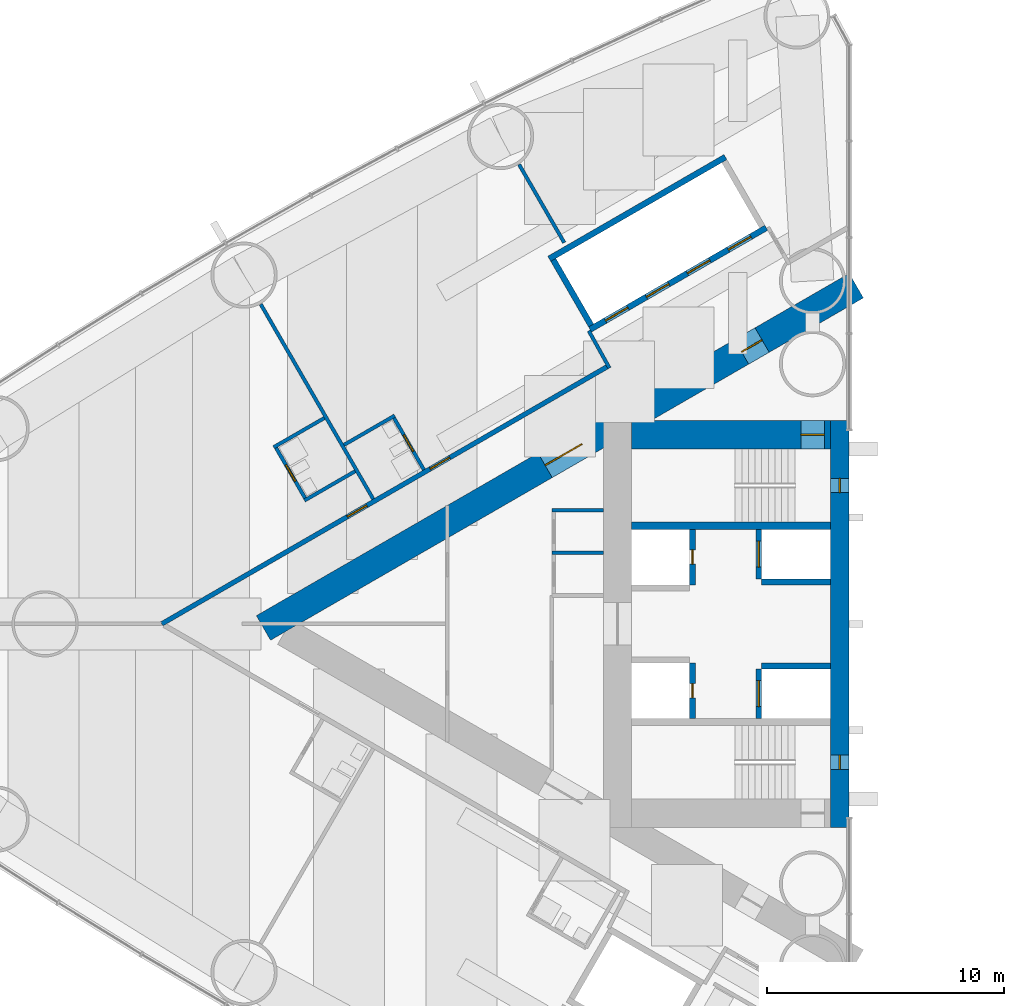
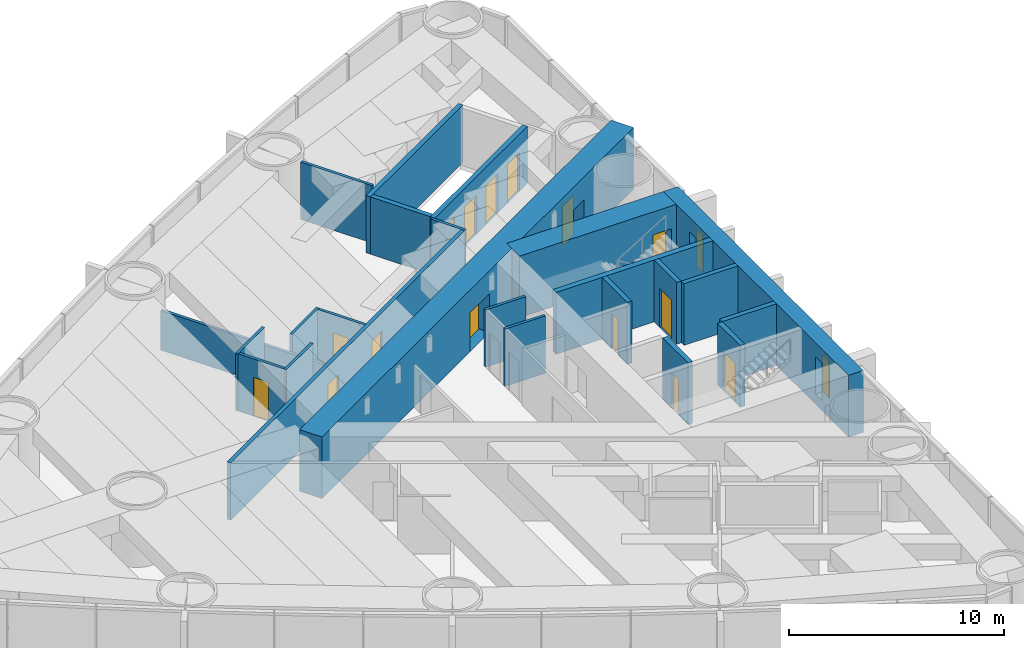
# One storey, part 12 of 19: 24 walls, 15 doors, 2 windows, 17 openings.
"""IFC4 building model written with IfcOpenShell, lengths in metres."""

from ifc_helpers import new_model, si_unit, direction, frame, frame_2d, origin, place, context, subcontext, project, spatial, rectangle, extrude, material, layer, layer_set, type_object, element, fill, save


model = new_model("IFC4")

# Units and contexts
model_context = context("Model", 3, precision=1e-05, world=origin(), true_north=direction((0.0, 1.0)))
body_context = subcontext(model_context, "Body", "Model", "MODEL_VIEW")
ifc_project = project(units=[si_unit("LENGTHUNIT", "METRE"), si_unit("AREAUNIT", "SQUARE_METRE"), si_unit("VOLUMEUNIT", "CUBIC_METRE"), si_unit("PLANEANGLEUNIT", "RADIAN"), si_unit("MASSUNIT", "GRAM", prefix="KILO")], contexts=[model_context])

# Site, building, storey
site_placement = place(None, origin())
site = spatial("IfcSite", under=ifc_project, at=site_placement, CompositionType="ELEMENT")
building_placement = place(site_placement, origin())
building = spatial("IfcBuilding", under=site, at=building_placement, Name="Lancet Gate Hotel", CompositionType="ELEMENT")
storey_placement = place(building_placement, frame((0.0, 0.0, 18.0)))
storey = spatial("IfcBuildingStorey", under=building, at=storey_placement, Name="L03", CompositionType="ELEMENT", Elevation=18.0)

# Wall
ifc_material_1 = material(Name="Moisture resistant board partition")
ifc_layer_1 = layer(ifc_material_1, 0.14990234375)
ifc_layer_set_1 = layer_set([ifc_layer_1], Name="Bathroom wall 150")
wall_type_1 = type_object("IfcWallType", Name="Bathroom wall 150", PredefinedType="PARTITIONING", material=ifc_layer_set_1)
wall_1_placement = place(storey_placement, frame((-49.691650390625, 8.704345703125, 0.0), z_axis=(0.0, 0.0, 1.0), x_axis=(-0.866073894602, -0.499916002032, 0.0)))
element("IfcWall", 1, at=wall_1_placement, inside=storey, type_object=wall_type_1, Name="T1 bathroom wall 150 L03", PredefinedType="PARTITIONING", context=body_context, shape_type="SweptSolid", body=[
    extrude(rectangle(XDim=2.47509765625, YDim=0.14990234375, at=frame_2d((1.237548828125, 0.0))), origin(), (0.0, 0.0, 1.0), 3.25),
])

# Wall, opening, door
wall_2_placement = place(storey_placement, frame((-50.47021484375, 5.252685546875, 0.0), z_axis=(0.0, 0.0, 1.0), x_axis=(-0.500006934395, 0.866021400173, 0.0)))
wall_2 = element("IfcWall", 2, at=wall_2_placement, inside=storey, type_object=wall_type_1, Name="T1 bathroom wall 150 L03", PredefinedType="PARTITIONING", context=body_context, shape_type="SweptSolid", body=[
    extrude(rectangle(XDim=2.60009765625, YDim=0.14990234375, at=frame_2d((1.300048828125, 0.0))), origin(), (0.0, 0.0, 1.0), 3.25),
])
opening_1_placement = place(wall_2_placement, frame((0.89990234375, 0.0, 0.0)))
opening_1 = element("IfcOpeningElement", 3, at=opening_1_placement, cuts=wall_2, Name="Opening 0303-B", PredefinedType="OPENING", context=body_context, shape_type="SweptSolid", body=[
    extrude(rectangle(XDim=0.800048828125, YDim=2.199951171875, at=frame_2d((0.39990234375, 1.10009765625))), frame((0.0, 0.0849609375, 0.0), z_axis=(0.0, -1.0, 0.0), x_axis=(1.0, 0.0, 0.0)), (0.0, 0.0, 1.0), 0.169921875),
])
ifc_material_2 = material(Name="Timber door set", Category="wood")
door_type_1 = type_object("IfcDoorType", Name="Bathroom door 800", OperationType="SINGLE_SWING_RIGHT", PredefinedType="DOOR", material=ifc_material_2)
door_1_placement = place(opening_1_placement, origin())
door_1 = element("IfcDoor", 4, at=door_1_placement, inside=storey, type_object=door_type_1, Name="0303-B", OperationType="SINGLE_SWING_RIGHT", OverallHeight=2.199951171875, OverallWidth=0.800048828125, PredefinedType="DOOR", context=body_context, shape_type="SweptSolid", body=[
    extrude(rectangle(XDim=0.800048828125, YDim=2.199951171875, at=frame_2d((0.39990234375, 1.10009765625))), frame((0.0, 0.02490234375, 0.0), z_axis=(0.0, -1.0, 0.0), x_axis=(1.0, 0.0, 0.0)), (0.0, 0.0, 1.0), 0.050048828125),
])
fill(opening_1, door_1)

# Walls
for number, where, z_axis, x_axis, name in (
    (5, (-48.391845703125, 6.45263671875, 0.0), (0.0, 0.0, 1.0), (-0.86604923931, -0.499958713387, 0.0), "T1 bathroom wall 150 L03"),
    (6, (-46.718505859375, 8.804443359375, 0.0), (0.0, 0.0, 1.0), (-0.866006523861, -0.500032699561, 0.0), "T1 bathroom wall 150 L03"),
):
    element("IfcWall", number, at=place(storey_placement, frame(where, z_axis=z_axis, x_axis=x_axis)), inside=storey, type_object=wall_type_1, Name=name, PredefinedType="PARTITIONING", context=body_context, shape_type="SweptSolid", body=[
        extrude(rectangle(XDim=2.474853515625, YDim=0.14990234375, at=frame_2d((1.2373046875, 0.0))), origin(), (0.0, 0.0, 1.0), 3.25),
    ])

# Wall, opening, door
wall_3_placement = place(storey_placement, frame((-45.4833984375, 6.515380859375, 0.0), z_axis=(0.0, 0.0, 1.0), x_axis=(-0.500006934395, 0.866021400173, 0.0)))
wall_3 = element("IfcWall", 7, at=wall_3_placement, inside=storey, type_object=wall_type_1, Name="T1 bathroom wall 150 L03", PredefinedType="PARTITIONING", context=body_context, shape_type="SweptSolid", body=[
    extrude(rectangle(XDim=2.60009765625, YDim=0.14990234375, at=frame_2d((1.300048828125, 0.0))), origin(), (0.0, 0.0, 1.0), 3.25),
])
opening_2_placement = place(wall_3_placement, frame((0.89990234375, 0.0, 0.0)))
opening_2 = element("IfcOpeningElement", 8, at=opening_2_placement, cuts=wall_3, Name="Opening 0302-B", PredefinedType="OPENING", context=body_context, shape_type="SweptSolid", body=[
    extrude(rectangle(XDim=0.800048828125, YDim=2.199951171875, at=frame_2d((0.39990234375, 1.10009765625))), frame((0.0, 0.0849609375, 0.0), z_axis=(0.0, -1.0, 0.0), x_axis=(1.0, 0.0, 0.0)), (0.0, 0.0, 1.0), 0.169921875),
])
door_2_placement = place(opening_2_placement, origin())
door_2 = element("IfcDoor", 9, at=door_2_placement, inside=storey, type_object=door_type_1, Name="0302-B", OperationType="SINGLE_SWING_RIGHT", OverallHeight=2.199951171875, OverallWidth=0.800048828125, PredefinedType="DOOR", context=body_context, shape_type="SweptSolid", body=[
    extrude(rectangle(XDim=0.800048828125, YDim=2.199951171875, at=frame_2d((0.39990234375, 1.10009765625))), frame((0.0, 0.02490234375, 0.0), z_axis=(0.0, -1.0, 0.0), x_axis=(1.0, 0.0, 0.0)), (0.0, 0.0, 1.0), 0.050048828125),
])
fill(opening_2, door_2)

# Wall, openings, doors
ifc_material_3 = material(Name="Concrete C70/85", Category="concrete")
ifc_layer_2 = layer(ifc_material_3, 1.199951171875)
ifc_layer_set_2 = layer_set([ifc_layer_2], Name="Buttress wall 1200")
wall_type_2 = type_object("IfcWallType", Name="Buttress wall 1200", PredefinedType="SHEAR", material=ifc_layer_set_2)
wall_4_placement = place(storey_placement, frame((-27.199951171875, 14.300048828125, 0.0), z_axis=(0.0, 0.0, 1.0), x_axis=(-0.866026593062, -0.499997940104, 0.0)))
wall_4 = element("IfcWall", 10, at=wall_4_placement, inside=storey, type_object=wall_type_2, Name="T1 buttress wall S L03", PredefinedType="SHEAR", context=body_context, shape_type="SweptSolid", body=[
    extrude(rectangle(XDim=28.9462890625, YDim=1.199951171875, at=frame_2d((14.47314453125, 0.0))), origin(), (0.0, 0.0, 1.0), 3.5),
])
opening_3_placement = place(wall_4_placement, frame((4.60009765625, 0.0, 0.0)))
opening_3 = element("IfcOpeningElement", 11, at=opening_3_placement, cuts=wall_4, Name="Opening T1-L03-LS", PredefinedType="OPENING", context=body_context, shape_type="SweptSolid", body=[
    extrude(rectangle(XDim=1.0, YDim=2.199951171875, at=frame_2d((0.5, 1.10009765625))), frame((0.0, 0.60986328125, 0.0), z_axis=(0.0, -1.0, 0.0), x_axis=(1.0, 0.0, 0.0)), (0.0, 0.0, 1.0), 1.219970703125),
])
opening_4_placement = place(wall_4_placement, frame((13.39453125, 0.0, 0.0)))
opening_4 = element("IfcOpeningElement", 12, at=opening_4_placement, cuts=wall_4, Name="Opening T1-L03-LHS", PredefinedType="OPENING", context=body_context, shape_type="SweptSolid", body=[
    extrude(rectangle(XDim=1.800048828125, YDim=2.199951171875, at=frame_2d((0.89990234375, 1.10009765625))), frame((0.0, 0.60986328125, 0.0), z_axis=(0.0, -1.0, 0.0), x_axis=(1.0, 0.0, 0.0)), (0.0, 0.0, 1.0), 1.219970703125),
])
ifc_material_4 = material(Name="Timber door set", Category="wood")
door_type_2 = type_object("IfcDoorType", Name="Lobby double door 1800", OperationType="DOUBLE_DOOR_SINGLE_SWING", PredefinedType="DOOR", material=ifc_material_4)
door_3_placement = place(opening_4_placement, origin())
door_3 = element("IfcDoor", 13, at=door_3_placement, inside=storey, type_object=door_type_2, Name="T1-L03-LHS", OperationType="DOUBLE_DOOR_SINGLE_SWING", OverallHeight=2.199951171875, OverallWidth=1.800048828125, PredefinedType="DOOR", context=body_context, shape_type="SweptSolid", body=[
    extrude(rectangle(XDim=1.800048828125, YDim=2.199951171875, at=frame_2d((0.89990234375, 1.10009765625))), frame((0.0, 0.02490234375, 0.0), z_axis=(0.0, -1.0, 0.0), x_axis=(1.0, 0.0, 0.0)), (0.0, 0.0, 1.0), 0.050048828125),
])
fill(opening_4, door_3)
ifc_material_5 = material(Name="Timber door set", Category="wood")
door_type_3 = type_object("IfcDoorType", Name="Stair lobby door 1000", OperationType="SINGLE_SWING_LEFT", PredefinedType="DOOR", material=ifc_material_5)
door_4_placement = place(opening_3_placement, origin())
door_4 = element("IfcDoor", 14, at=door_4_placement, inside=storey, type_object=door_type_3, Name="T1-L03-LS", OperationType="SINGLE_SWING_LEFT", OverallHeight=2.199951171875, OverallWidth=1.0, PredefinedType="DOOR", context=body_context, shape_type="SweptSolid", body=[
    extrude(rectangle(XDim=1.0, YDim=2.199951171875, at=frame_2d((0.5, 1.10009765625))), frame((0.0, 0.02490234375, 0.0), z_axis=(0.0, -1.0, 0.0), x_axis=(1.0, 0.0, 0.0)), (0.0, 0.0, 1.0), 0.050048828125),
])
fill(opening_3, door_4)

# Wall, opening, door
ifc_material_6 = material(Name="Concrete C70/85", Category="concrete")
ifc_layer_3 = layer(ifc_material_6, 1.199951171875)
ifc_layer_set_3 = layer_set([ifc_layer_3], Name="Core wall 1200")
wall_type_3 = type_object("IfcWallType", Name="Core wall 1200", PredefinedType="SHEAR", material=ifc_layer_set_3)
wall_5_placement = place(storey_placement, frame((-28.300048828125, 8.0, 0.0), z_axis=(0.0, 0.0, 1.0), x_axis=(-1.0, 0.0, 0.0)))
wall_5 = element("IfcWall", 15, at=wall_5_placement, inside=storey, type_object=wall_type_3, Name="T1 core wall side-S L03", PredefinedType="SHEAR", context=body_context, shape_type="SweptSolid", body=[
    extrude(rectangle(XDim=8.39990234375, YDim=1.199951171875, at=frame_2d((4.199951171875, 0.0))), origin(), (0.0, 0.0, 1.0), 3.5),
])
opening_5_placement = place(wall_5_placement, frame((0.25, 0.0, 0.0)))
opening_5 = element("IfcOpeningElement", 16, at=opening_5_placement, cuts=wall_5, Name="Opening T1-L03-ST1", PredefinedType="OPENING", context=body_context, shape_type="SweptSolid", body=[
    extrude(rectangle(XDim=1.0, YDim=2.199951171875, at=frame_2d((0.5, 1.10009765625))), frame((0.0, 0.60986328125, 0.0), z_axis=(0.0, -1.0, 0.0), x_axis=(1.0, 0.0, 0.0)), (0.0, 0.0, 1.0), 1.219970703125),
])
ifc_material_7 = material(Name="Timber door set", Category="wood")
door_type_4 = type_object("IfcDoorType", Name="Stair door 1000", OperationType="SINGLE_SWING_RIGHT", PredefinedType="DOOR", material=ifc_material_7)
door_5_placement = place(opening_5_placement, origin())
door_5 = element("IfcDoor", 17, at=door_5_placement, inside=storey, type_object=door_type_4, Name="T1-L03-ST1", OperationType="SINGLE_SWING_RIGHT", OverallHeight=2.199951171875, OverallWidth=1.0, PredefinedType="DOOR", context=body_context, shape_type="SweptSolid", body=[
    extrude(rectangle(XDim=1.0, YDim=2.199951171875, at=frame_2d((0.5, 1.10009765625))), frame((0.0, 0.02490234375, 0.0), z_axis=(0.0, -1.0, 0.0), x_axis=(1.0, 0.0, 0.0)), (0.0, 0.0, 1.0), 0.050048828125),
])
fill(opening_5, door_5)

# Wall, openings, windows
ifc_material_8 = material(Name="Concrete C70/85", Category="concrete")
ifc_layer_4 = layer(ifc_material_8, 0.800048828125)
ifc_layer_set_4 = layer_set([ifc_layer_4], Name="Core wall 800")
wall_type_4 = type_object("IfcWallType", Name="Core wall 800", PredefinedType="SHEAR", material=ifc_layer_set_4)
wall_6_placement = place(storey_placement, frame((-27.89990234375, 8.60009765625, 0.0), z_axis=(0.0, 0.0, 1.0), x_axis=(0.0, -1.0, 0.0)))
wall_6 = element("IfcWall", 18, at=wall_6_placement, inside=storey, type_object=wall_type_4, Name="T1 core wall front L03", PredefinedType="SHEAR", context=body_context, shape_type="SweptSolid", body=[
    extrude(rectangle(XDim=17.2001953125, YDim=0.800048828125, at=frame_2d((8.60009765625, 0.0))), origin(), (0.0, 0.0, 1.0), 3.5),
])
opening_6_placement = place(wall_6_placement, frame((2.449951171875, 0.0, 0.60009765625)))
opening_6 = element("IfcOpeningElement", 19, at=opening_6_placement, cuts=wall_6, Name="Opening LW1", PredefinedType="OPENING", context=body_context, shape_type="SweptSolid", body=[
    extrude(rectangle(XDim=0.60009765625, YDim=2.10009765625, at=frame_2d((0.300048828125, 1.050048828125))), frame((0.0, 0.409912109375, 0.0), z_axis=(0.0, -1.0, 0.0), x_axis=(1.0, 0.0, 0.0)), (0.0, 0.0, 1.0), 0.820068359375),
])
opening_7_placement = place(wall_6_placement, frame((14.14990234375, 0.0, 0.60009765625)))
opening_7 = element("IfcOpeningElement", 20, at=opening_7_placement, cuts=wall_6, Name="Opening LW1", PredefinedType="OPENING", context=body_context, shape_type="SweptSolid", body=[
    extrude(rectangle(XDim=0.60009765625, YDim=2.10009765625, at=frame_2d((0.300048828125, 1.050048828125))), frame((0.0, 0.409912109375, 0.0), z_axis=(0.0, -1.0, 0.0), x_axis=(1.0, 0.0, 0.0)), (0.0, 0.0, 1.0), 0.820068359375),
])
ifc_material_9 = material(Name="Fire-resisting glazed steel window", Category="steel")
window_type = type_object("IfcWindowType", Name="Lancet window 600x2100", PartitioningType="SINGLE_PANEL", PredefinedType="WINDOW", material=ifc_material_9)
window_1_placement = place(opening_6_placement, origin())
window_1 = element("IfcWindow", 21, at=window_1_placement, inside=storey, type_object=window_type, Name="T1 stair window S L03", OverallHeight=2.10009765625, OverallWidth=0.60009765625, PartitioningType="SINGLE_PANEL", PredefinedType="WINDOW", context=body_context, shape_type="SweptSolid", body=[
    extrude(rectangle(XDim=0.60009765625, YDim=2.10009765625, at=frame_2d((0.300048828125, 1.050048828125))), frame((0.0, 0.030029296875, 0.0), z_axis=(0.0, -1.0, 0.0), x_axis=(1.0, 0.0, 0.0)), (0.0, 0.0, 1.0), 0.06005859375),
])
fill(opening_6, window_1)
window_2_placement = place(opening_7_placement, origin())
window_2 = element("IfcWindow", 22, at=window_2_placement, inside=storey, type_object=window_type, Name="T1 stair window N L03", OverallHeight=2.10009765625, OverallWidth=0.60009765625, PartitioningType="SINGLE_PANEL", PredefinedType="WINDOW", context=body_context, shape_type="SweptSolid", body=[
    extrude(rectangle(XDim=0.60009765625, YDim=2.10009765625, at=frame_2d((0.300048828125, 1.050048828125))), frame((0.0, 0.030029296875, 0.0), z_axis=(0.0, -1.0, 0.0), x_axis=(1.0, 0.0, 0.0)), (0.0, 0.0, 1.0), 0.06005859375),
])
fill(opening_7, window_2)

# Wall, openings, doors
ifc_material_10 = material(Name="Gypsum board partition")
ifc_layer_5 = layer(ifc_material_10, 0.199951171875)
ifc_layer_set_5 = layer_set([ifc_layer_5], Name="Corridor wall 200")
wall_type_5 = type_object("IfcWallType", Name="Corridor wall 200", PredefinedType="PARTITIONING", material=ifc_layer_set_5)
wall_7_placement = place(storey_placement, frame((-37.699951171875, 10.8935546875, 0.0), z_axis=(0.0, 0.0, 1.0), x_axis=(-0.866027905338, -0.499995667157, 0.0)))
wall_7 = element("IfcWall", 23, at=wall_7_placement, inside=storey, type_object=wall_type_5, Name="T1 corridor wall 200 L03", PredefinedType="PARTITIONING", context=body_context, shape_type="SweptSolid", body=[
    extrude(rectangle(XDim=21.787353515625, YDim=0.199951171875, at=frame_2d((10.8935546875, 0.0))), origin(), (0.0, 0.0, 1.0), 3.25),
])
opening_8_placement = place(wall_7_placement, frame((11.77978515625, 0.0, 0.0)))
opening_8 = element("IfcOpeningElement", 24, at=opening_8_placement, cuts=wall_7, Name="Opening 0303-E", PredefinedType="OPENING", context=body_context, shape_type="SweptSolid", body=[
    extrude(rectangle(XDim=0.949951171875, YDim=2.199951171875, at=frame_2d((0.47509765625, 1.10009765625))), frame((0.0, 0.10986328125, 0.0), z_axis=(0.0, -1.0, 0.0), x_axis=(1.0, 0.0, 0.0)), (0.0, 0.0, 1.0), 0.219970703125),
])
opening_9_placement = place(wall_7_placement, frame((7.729736328125, 0.0, 0.0)))
opening_9 = element("IfcOpeningElement", 25, at=opening_9_placement, cuts=wall_7, Name="Opening 0302-E", PredefinedType="OPENING", context=body_context, shape_type="SweptSolid", body=[
    extrude(rectangle(XDim=0.949951171875, YDim=2.199951171875, at=frame_2d((0.47509765625, 1.10009765625))), frame((0.0, 0.10986328125, 0.0), z_axis=(0.0, -1.0, 0.0), x_axis=(1.0, 0.0, 0.0)), (0.0, 0.0, 1.0), 0.219970703125),
])
ifc_material_11 = material(Name="Timber door set", Category="wood")
door_type_5 = type_object("IfcDoorType", Name="Guest room entry door 950", OperationType="SINGLE_SWING_LEFT", PredefinedType="DOOR", material=ifc_material_11)
door_6_placement = place(opening_8_placement, origin())
door_6 = element("IfcDoor", 26, at=door_6_placement, inside=storey, type_object=door_type_5, Name="0303-E", OperationType="SINGLE_SWING_LEFT", OverallHeight=2.199951171875, OverallWidth=0.949951171875, PredefinedType="DOOR", context=body_context, shape_type="SweptSolid", body=[
    extrude(rectangle(XDim=0.949951171875, YDim=2.199951171875, at=frame_2d((0.47509765625, 1.10009765625))), frame((0.0, 0.02490234375, 0.0), z_axis=(0.0, -1.0, 0.0), x_axis=(1.0, 0.0, 0.0)), (0.0, 0.0, 1.0), 0.050048828125),
])
fill(opening_8, door_6)
door_7_placement = place(opening_9_placement, origin())
door_7 = element("IfcDoor", 27, at=door_7_placement, inside=storey, type_object=door_type_5, Name="0302-E", OperationType="SINGLE_SWING_LEFT", OverallHeight=2.199951171875, OverallWidth=0.949951171875, PredefinedType="DOOR", context=body_context, shape_type="SweptSolid", body=[
    extrude(rectangle(XDim=0.949951171875, YDim=2.199951171875, at=frame_2d((0.47509765625, 1.10009765625))), frame((0.0, 0.02490234375, 0.0), z_axis=(0.0, -1.0, 0.0), x_axis=(1.0, 0.0, 0.0)), (0.0, 0.0, 1.0), 0.050048828125),
])
fill(opening_9, door_7)

ifc_material_12 = material(Name="Gypsum board partition")
ifc_layer_6 = layer(ifc_material_12, 0.25)
ifc_layer_set_6 = layer_set([ifc_layer_6], Name="Lift shaft partition 250")
wall_type_6 = type_object("IfcWallType", Name="Lift shaft partition 250", PredefinedType="PARTITIONING", material=ifc_layer_set_6)
wall_8_placement = place(storey_placement, frame((-31.010498046875, 16.747314453125, 0.0), z_axis=(0.0, 0.0, 1.0), x_axis=(-0.866028165386, -0.499995216735, 0.0)))
wall_8 = element("IfcWall", 28, at=wall_8_placement, inside=storey, type_object=wall_type_6, Name="T1 lift shaft wall LR L03", PredefinedType="PARTITIONING", context=body_context, shape_type="SweptSolid", body=[
    extrude(rectangle(XDim=8.60009765625, YDim=0.25, at=frame_2d((4.300048828125, 0.0))), origin(), (0.0, 0.0, 1.0), 3.25),
])
opening_10_placement = place(wall_8_placement, frame((0.75, 0.0, 0.0)))
opening_10 = element("IfcOpeningElement", 29, at=opening_10_placement, cuts=wall_8, Name="Opening T1-LR1-L03", PredefinedType="OPENING", context=body_context, shape_type="SweptSolid", body=[
    extrude(rectangle(XDim=1.10009765625, YDim=2.199951171875, at=frame_2d((0.550048828125, 1.10009765625))), frame((0.0, 0.135009765625, 0.0), z_axis=(0.0, -1.0, 0.0), x_axis=(1.0, 0.0, 0.0)), (0.0, 0.0, 1.0), 0.27001953125),
])
opening_11_placement = place(wall_8_placement, frame((2.75, 0.0, 0.0)))
opening_11 = element("IfcOpeningElement", 30, at=opening_11_placement, cuts=wall_8, Name="Opening T1-LR2-L03", PredefinedType="OPENING", context=body_context, shape_type="SweptSolid", body=[
    extrude(rectangle(XDim=1.10009765625, YDim=2.199951171875, at=frame_2d((0.550048828125, 1.10009765625))), frame((0.0, 0.135009765625, 0.0), z_axis=(0.0, -1.0, 0.0), x_axis=(1.0, 0.0, 0.0)), (0.0, 0.0, 1.0), 0.27001953125),
])
opening_12_placement = place(wall_8_placement, frame((4.75, 0.0, 0.0)))
opening_12 = element("IfcOpeningElement", 31, at=opening_12_placement, cuts=wall_8, Name="Opening T1-LR3-L03", PredefinedType="OPENING", context=body_context, shape_type="SweptSolid", body=[
    extrude(rectangle(XDim=1.10009765625, YDim=2.199951171875, at=frame_2d((0.550048828125, 1.10009765625))), frame((0.0, 0.135009765625, 0.0), z_axis=(0.0, -1.0, 0.0), x_axis=(1.0, 0.0, 0.0)), (0.0, 0.0, 1.0), 0.27001953125),
])
opening_13_placement = place(wall_8_placement, frame((6.75, 0.0, 0.0)))
opening_13 = element("IfcOpeningElement", 32, at=opening_13_placement, cuts=wall_8, Name="Opening T1-LR4-L03", PredefinedType="OPENING", context=body_context, shape_type="SweptSolid", body=[
    extrude(rectangle(XDim=1.10009765625, YDim=2.199951171875, at=frame_2d((0.550048828125, 1.10009765625))), frame((0.0, 0.135009765625, 0.0), z_axis=(0.0, -1.0, 0.0), x_axis=(1.0, 0.0, 0.0)), (0.0, 0.0, 1.0), 0.27001953125),
])
ifc_material_13 = material(Name="Steel door set", Category="steel")
door_type_6 = type_object("IfcDoorType", Name="Lift landing door 1100", OperationType="DOUBLE_DOOR_SLIDING", PredefinedType="USERDEFINED", material=ifc_material_13)
door_8_placement = place(opening_10_placement, origin())
door_8 = element("IfcDoor", 33, at=door_8_placement, inside=storey, type_object=door_type_6, Name="T1-LR1-L03", ObjectType="LIFT LANDING DOOR", OperationType="DOUBLE_DOOR_SLIDING", OverallHeight=2.199951171875, OverallWidth=1.10009765625, PredefinedType="USERDEFINED", context=body_context, shape_type="SweptSolid", body=[
    extrude(rectangle(XDim=1.10009765625, YDim=2.199951171875, at=frame_2d((0.550048828125, 1.10009765625))), frame((0.0, 0.02490234375, 0.0), z_axis=(0.0, -1.0, 0.0), x_axis=(1.0, 0.0, 0.0)), (0.0, 0.0, 1.0), 0.050048828125),
])
fill(opening_10, door_8)
door_9_placement = place(opening_11_placement, origin())
door_9 = element("IfcDoor", 34, at=door_9_placement, inside=storey, type_object=door_type_6, Name="T1-LR2-L03", ObjectType="LIFT LANDING DOOR", OperationType="DOUBLE_DOOR_SLIDING", OverallHeight=2.199951171875, OverallWidth=1.10009765625, PredefinedType="USERDEFINED", context=body_context, shape_type="SweptSolid", body=[
    extrude(rectangle(XDim=1.10009765625, YDim=2.199951171875, at=frame_2d((0.550048828125, 1.10009765625))), frame((0.0, 0.02490234375, 0.0), z_axis=(0.0, -1.0, 0.0), x_axis=(1.0, 0.0, 0.0)), (0.0, 0.0, 1.0), 0.050048828125),
])
fill(opening_11, door_9)
door_10_placement = place(opening_12_placement, origin())
door_10 = element("IfcDoor", 35, at=door_10_placement, inside=storey, type_object=door_type_6, Name="T1-LR3-L03", ObjectType="LIFT LANDING DOOR", OperationType="DOUBLE_DOOR_SLIDING", OverallHeight=2.199951171875, OverallWidth=1.10009765625, PredefinedType="USERDEFINED", context=body_context, shape_type="SweptSolid", body=[
    extrude(rectangle(XDim=1.10009765625, YDim=2.199951171875, at=frame_2d((0.550048828125, 1.10009765625))), frame((0.0, 0.02490234375, 0.0), z_axis=(0.0, -1.0, 0.0), x_axis=(1.0, 0.0, 0.0)), (0.0, 0.0, 1.0), 0.050048828125),
])
fill(opening_12, door_10)
door_11_placement = place(opening_13_placement, origin())
door_11 = element("IfcDoor", 36, at=door_11_placement, inside=storey, type_object=door_type_6, Name="T1-LR4-L03", ObjectType="LIFT LANDING DOOR", OperationType="DOUBLE_DOOR_SLIDING", OverallHeight=2.199951171875, OverallWidth=1.10009765625, PredefinedType="USERDEFINED", context=body_context, shape_type="SweptSolid", body=[
    extrude(rectangle(XDim=1.10009765625, YDim=2.199951171875, at=frame_2d((0.550048828125, 1.10009765625))), frame((0.0, 0.02490234375, 0.0), z_axis=(0.0, -1.0, 0.0), x_axis=(1.0, 0.0, 0.0)), (0.0, 0.0, 1.0), 0.050048828125),
])
fill(opening_13, door_11)

# Walls
wall_9_placement = place(storey_placement, frame((-32.735595703125, 19.73583984375, 0.0), z_axis=(0.0, 0.0, 1.0), x_axis=(-0.866028165386, -0.499995216735, 0.0)))
element("IfcWall", 37, at=wall_9_placement, inside=storey, type_object=wall_type_6, Name="T1 lift shaft wall LR L03", PredefinedType="PARTITIONING", context=body_context, shape_type="SweptSolid", body=[
    extrude(rectangle(XDim=8.60009765625, YDim=0.25, at=frame_2d((4.300048828125, 0.0))), origin(), (0.0, 0.0, 1.0), 3.25),
])
wall_10_placement = place(storey_placement, frame((-38.412841796875, 12.617919921875, 0.0), z_axis=(0.0, 0.0, 1.0), x_axis=(-0.499872130319, 0.866099216793, 0.0)))
element("IfcWall", 38, at=wall_10_placement, inside=storey, type_object=wall_type_6, Name="T1 lift shaft wall LR L03", PredefinedType="PARTITIONING", context=body_context, shape_type="SweptSolid", body=[
    extrude(rectangle(XDim=3.200439453125, YDim=0.25, at=frame_2d((1.60009765625, 0.0))), origin(), (0.0, 0.0, 1.0), 3.25),
])

# Wall, opening, door
ifc_material_14 = material(Name="Concrete C50/60", Category="concrete")
ifc_layer_7 = layer(ifc_material_14, 0.25)
ifc_layer_set_7 = layer_set([ifc_layer_7], Name="Lift shaft wall 250")
wall_type_7 = type_object("IfcWallType", Name="Lift shaft wall 250", PredefinedType="SHEAR", material=ifc_layer_set_7)
wall_11_placement = place(storey_placement, frame((-31.324951171875, 4.0, 0.0), z_axis=(0.0, 0.0, 1.0), x_axis=(0.0, -1.0, 0.0)))
wall_11 = element("IfcWall", 39, at=wall_11_placement, inside=storey, type_object=wall_type_7, Name="T1 core wall row1-S L03", PredefinedType="SHEAR", context=body_context, shape_type="SweptSolid", body=[
    extrude(rectangle(XDim=2.10009765625, YDim=0.25, at=frame_2d((1.050048828125, 0.0))), origin(), (0.0, 0.0, 1.0), 3.5),
])
opening_14_placement = place(wall_11_placement, frame((0.5, 0.0, 0.0)))
opening_14 = element("IfcOpeningElement", 40, at=opening_14_placement, cuts=wall_11, Name="Opening T1-SL1-L03", PredefinedType="OPENING", context=body_context, shape_type="SweptSolid", body=[
    extrude(rectangle(XDim=1.10009765625, YDim=2.199951171875, at=frame_2d((0.550048828125, 1.10009765625))), frame((0.0, 0.135009765625, 0.0), z_axis=(0.0, -1.0, 0.0), x_axis=(1.0, 0.0, 0.0)), (0.0, 0.0, 1.0), 0.27001953125),
])
ifc_material_15 = material(Name="Timber door set", Category="wood")
door_type_7 = type_object("IfcDoorType", Name="Service lift landing door 1100", OperationType="SLIDING_TO_LEFT", PredefinedType="USERDEFINED", material=ifc_material_15)
door_12_placement = place(opening_14_placement, origin())
door_12 = element("IfcDoor", 41, at=door_12_placement, inside=storey, type_object=door_type_7, Name="T1-SL1-L03", ObjectType="LIFT LANDING DOOR", OperationType="SLIDING_TO_LEFT", OverallHeight=2.199951171875, OverallWidth=1.10009765625, PredefinedType="USERDEFINED", context=body_context, shape_type="SweptSolid", body=[
    extrude(rectangle(XDim=1.10009765625, YDim=2.199951171875, at=frame_2d((0.550048828125, 1.10009765625))), frame((0.0, 0.02490234375, 0.0), z_axis=(0.0, -1.0, 0.0), x_axis=(1.0, 0.0, 0.0)), (0.0, 0.0, 1.0), 0.050048828125),
])
fill(opening_14, door_12)

wall_12_placement = place(storey_placement, frame((-34.125, 4.0, 0.0), z_axis=(0.0, 0.0, 1.0), x_axis=(0.0, -1.0, 0.0)))
wall_12 = element("IfcWall", 42, at=wall_12_placement, inside=storey, type_object=wall_type_7, Name="T1 core wall row2-S L03", PredefinedType="SHEAR", context=body_context, shape_type="SweptSolid", body=[
    extrude(rectangle(XDim=2.35009765625, YDim=0.25, at=frame_2d((1.175048828125, 0.0))), origin(), (0.0, 0.0, 1.0), 3.5),
])
opening_15_placement = place(wall_12_placement, frame((0.875, 0.0, 0.0)))
opening_15 = element("IfcOpeningElement", 43, at=opening_15_placement, cuts=wall_12, Name="Opening T1-OL3-L03-E", PredefinedType="OPENING", context=body_context, shape_type="SweptSolid", body=[
    extrude(rectangle(XDim=0.60009765625, YDim=2.0, at=frame_2d((0.300048828125, 1.0))), frame((0.0, 0.135009765625, 0.0), z_axis=(0.0, -1.0, 0.0), x_axis=(1.0, 0.0, 0.0)), (0.0, 0.0, 1.0), 0.27001953125),
])
ifc_material_16 = material(Name="Steel door set", Category="steel")
door_type_8 = type_object("IfcDoorType", Name="Lift shaft emergency door 600x2000", OperationType="SLIDING_TO_LEFT", PredefinedType="DOOR", material=ifc_material_16)
door_13_placement = place(opening_15_placement, origin())
door_13 = element("IfcDoor", 44, at=door_13_placement, inside=storey, type_object=door_type_8, Name="T1-OL3-L03-E", OperationType="SLIDING_TO_LEFT", OverallHeight=2.0, OverallWidth=0.60009765625, PredefinedType="DOOR", context=body_context, shape_type="SweptSolid", body=[
    extrude(rectangle(XDim=0.60009765625, YDim=2.0, at=frame_2d((0.300048828125, 1.0))), frame((0.0, 0.02490234375, 0.0), z_axis=(0.0, -1.0, 0.0), x_axis=(1.0, 0.0, 0.0)), (0.0, 0.0, 1.0), 0.050048828125),
])
fill(opening_15, door_13)

# Wall
wall_13_placement = place(storey_placement, frame((-28.300048828125, 1.77490234375, 0.0), z_axis=(0.0, 0.0, 1.0), x_axis=(-1.0, 0.0, 0.0)))
element("IfcWall", 45, at=wall_13_placement, inside=storey, type_object=wall_type_7, Name="T1 core wall pass1-S L03", PredefinedType="SHEAR", context=body_context, shape_type="SweptSolid", body=[
    extrude(rectangle(XDim=2.89990234375, YDim=0.25, at=frame_2d((1.449951171875, 0.0))), origin(), (0.0, 0.0, 1.0), 3.5),
])

# Wall, opening, door
wall_14_placement = place(storey_placement, frame((-31.324951171875, -1.89990234375, 0.0), z_axis=(0.0, 0.0, 1.0), x_axis=(0.0, -1.0, 0.0)))
wall_14 = element("IfcWall", 46, at=wall_14_placement, inside=storey, type_object=wall_type_7, Name="T1 core wall row1-N L03", PredefinedType="SHEAR", context=body_context, shape_type="SweptSolid", body=[
    extrude(rectangle(XDim=2.10009765625, YDim=0.25, at=frame_2d((1.050048828125, 0.0))), origin(), (0.0, 0.0, 1.0), 3.5),
])
opening_16_placement = place(wall_14_placement, frame((0.5, 0.0, 0.0)))
opening_16 = element("IfcOpeningElement", 47, at=opening_16_placement, cuts=wall_14, Name="Opening T1-FL2-L03", PredefinedType="OPENING", context=body_context, shape_type="SweptSolid", body=[
    extrude(rectangle(XDim=1.10009765625, YDim=2.199951171875, at=frame_2d((0.550048828125, 1.10009765625))), frame((0.0, 0.135009765625, 0.0), z_axis=(0.0, -1.0, 0.0), x_axis=(1.0, 0.0, 0.0)), (0.0, 0.0, 1.0), 0.27001953125),
])
ifc_material_17 = material(Name="Steel door set", Category="steel")
door_type_9 = type_object("IfcDoorType", Name="Firefighting lift landing door 1100", OperationType="SLIDING_TO_LEFT", PredefinedType="USERDEFINED", material=ifc_material_17)
door_14_placement = place(opening_16_placement, origin())
door_14 = element("IfcDoor", 48, at=door_14_placement, inside=storey, type_object=door_type_9, Name="T1-FL2-L03", ObjectType="LIFT LANDING DOOR", OperationType="SLIDING_TO_LEFT", OverallHeight=2.199951171875, OverallWidth=1.10009765625, PredefinedType="USERDEFINED", context=body_context, shape_type="SweptSolid", body=[
    extrude(rectangle(XDim=1.10009765625, YDim=2.199951171875, at=frame_2d((0.550048828125, 1.10009765625))), frame((0.0, 0.02490234375, 0.0), z_axis=(0.0, -1.0, 0.0), x_axis=(1.0, 0.0, 0.0)), (0.0, 0.0, 1.0), 0.050048828125),
])
fill(opening_16, door_14)

wall_15_placement = place(storey_placement, frame((-34.125, -1.64990234375, 0.0), z_axis=(0.0, 0.0, 1.0), x_axis=(0.0, -1.0, 0.0)))
wall_15 = element("IfcWall", 49, at=wall_15_placement, inside=storey, type_object=wall_type_7, Name="T1 core wall row2-N L03", PredefinedType="SHEAR", context=body_context, shape_type="SweptSolid", body=[
    extrude(rectangle(XDim=2.35009765625, YDim=0.25, at=frame_2d((1.175048828125, 0.0))), origin(), (0.0, 0.0, 1.0), 3.5),
])
opening_17_placement = place(wall_15_placement, frame((0.875, 0.0, 0.0)))
opening_17 = element("IfcOpeningElement", 50, at=opening_17_placement, cuts=wall_15, Name="Opening T1-OL4-L03-E", PredefinedType="OPENING", context=body_context, shape_type="SweptSolid", body=[
    extrude(rectangle(XDim=0.60009765625, YDim=2.0, at=frame_2d((0.300048828125, 1.0))), frame((0.0, 0.135009765625, 0.0), z_axis=(0.0, -1.0, 0.0), x_axis=(1.0, 0.0, 0.0)), (0.0, 0.0, 1.0), 0.27001953125),
])
door_15_placement = place(opening_17_placement, origin())
door_15 = element("IfcDoor", 51, at=door_15_placement, inside=storey, type_object=door_type_8, Name="T1-OL4-L03-E", OperationType="SLIDING_TO_LEFT", OverallHeight=2.0, OverallWidth=0.60009765625, PredefinedType="DOOR", context=body_context, shape_type="SweptSolid", body=[
    extrude(rectangle(XDim=0.60009765625, YDim=2.0, at=frame_2d((0.300048828125, 1.0))), frame((0.0, 0.02490234375, 0.0), z_axis=(0.0, -1.0, 0.0), x_axis=(1.0, 0.0, 0.0)), (0.0, 0.0, 1.0), 0.050048828125),
])
fill(opening_17, door_15)

# Walls
wall_16_placement = place(storey_placement, frame((-28.300048828125, -1.77490234375, 0.0), z_axis=(0.0, 0.0, 1.0), x_axis=(-1.0, 0.0, 0.0)))
element("IfcWall", 52, at=wall_16_placement, inside=storey, type_object=wall_type_7, Name="T1 core wall pass1-N L03", PredefinedType="SHEAR", context=body_context, shape_type="SweptSolid", body=[
    extrude(rectangle(XDim=2.89990234375, YDim=0.25, at=frame_2d((1.449951171875, 0.0))), origin(), (0.0, 0.0, 1.0), 3.5),
])
ifc_material_18 = material(Name="Gypsum board partition")
ifc_layer_8 = layer(ifc_material_18, 0.14990234375)
ifc_layer_set_8 = layer_set([ifc_layer_8], Name="Party wall 150")
wall_type_8 = type_object("IfcWallType", Name="Party wall 150", PredefinedType="PARTITIONING", material=ifc_layer_set_8)
wall_17_placement = place(storey_placement, frame((-47.626708984375, 5.27783203125, 0.0), z_axis=(0.0, 0.0, 1.0), x_axis=(-0.500009844318, 0.86601972009, 0.0)))
element("IfcWall", 53, at=wall_17_placement, inside=storey, type_object=wall_type_8, Name="T1 party wall 150 L03", PredefinedType="PARTITIONING", context=body_context, shape_type="SweptSolid", body=[
    extrude(rectangle(XDim=9.510498046875, YDim=0.14990234375, at=frame_2d((4.75537109375, 0.0))), origin(), (0.0, 0.0, 1.0), 2.25),
])
wall_18_placement = place(storey_placement, frame((-39.55078125, 16.11865234375, 0.0), z_axis=(0.0, 0.0, 1.0), x_axis=(-0.500014214979, 0.866017196607, 0.0)))
element("IfcWall", 54, at=wall_18_placement, inside=storey, type_object=wall_type_8, Name="T1 party wall 150 L03", PredefinedType="PARTITIONING", context=body_context, shape_type="SweptSolid", body=[
    extrude(rectangle(XDim=3.81494140625, YDim=0.14990234375, at=frame_2d((1.907470703125, 0.0))), origin(), (0.0, 0.0, 1.0), 3.25),
])
ifc_material_19 = material(Name="Gypsum board partition")
ifc_layer_9 = layer(ifc_material_19, 0.14990234375)
ifc_layer_set_9 = layer_set([ifc_layer_9], Name="Service room wall 150")
wall_type_9 = type_object("IfcWallType", Name="Service room wall 150", PredefinedType="PARTITIONING", material=ifc_layer_set_9)
wall_19_placement = place(storey_placement, frame((-38.513427734375, 12.392333984375, 0.0), z_axis=(0.0, 0.0, 1.0), x_axis=(0.485585508183, -0.874189175317, 0.0)))
element("IfcWall", 55, at=wall_19_placement, inside=storey, type_object=wall_type_9, Name="T1 service room wall 150 L03", PredefinedType="PARTITIONING", context=body_context, shape_type="SweptSolid", body=[
    extrude(rectangle(XDim=1.804931640625, YDim=0.14990234375, at=frame_2d((0.90234375, 0.0))), origin(), (0.0, 0.0, 1.0), 3.25),
])
for number, where, z_axis, x_axis, name in (
    (56, (-37.89990234375, 3.0, 0.0), (0.0, 0.0, 1.0), (-1.0, 0.0, 0.0), "T1 service room wall 150 L03"),
    (57, (-37.89990234375, 4.800048828125, 0.0), (0.0, 0.0, 1.0), (-1.0, 0.0, 0.0), "T1 service room wall 150 L03"),
):
    element("IfcWall", number, at=place(storey_placement, frame(where, z_axis=z_axis, x_axis=x_axis)), inside=storey, type_object=wall_type_9, Name=name, PredefinedType="PARTITIONING", context=body_context, shape_type="SweptSolid", body=[
        extrude(rectangle(XDim=2.175048828125, YDim=0.14990234375, at=frame_2d((1.08740234375, 0.0))), origin(), (0.0, 0.0, 1.0), 3.25),
    ])
ifc_material_20 = material(Name="Concrete C50/60", Category="concrete")
ifc_layer_10 = layer(ifc_material_20, 0.300048828125)
ifc_layer_set_10 = layer_set([ifc_layer_10], Name="Stair enclosure wall 300")
wall_type_10 = type_object("IfcWallType", Name="Stair enclosure wall 300", PredefinedType="SHEAR", material=ifc_layer_set_10)
wall_20_placement = place(storey_placement, frame((-28.300048828125, 4.14990234375, 0.0), z_axis=(0.0, 0.0, 1.0), x_axis=(-1.0, 0.0, 0.0)))
element("IfcWall", 58, at=wall_20_placement, inside=storey, type_object=wall_type_10, Name="T1 core wall stair-S L03", PredefinedType="SHEAR", context=body_context, shape_type="SweptSolid", body=[
    extrude(rectangle(XDim=8.39990234375, YDim=0.300048828125, at=frame_2d((4.199951171875, 0.0))), origin(), (0.0, 0.0, 1.0), 3.5),
])

save(model, "model.ifc")
